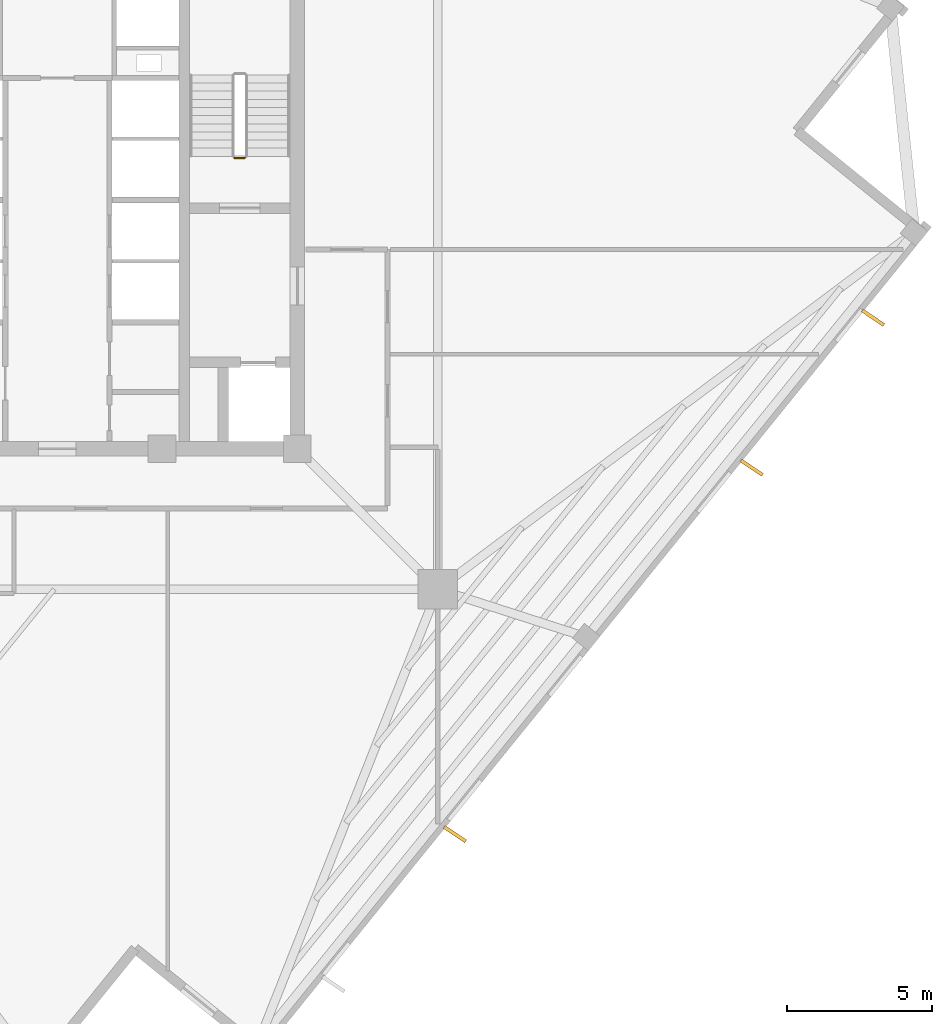
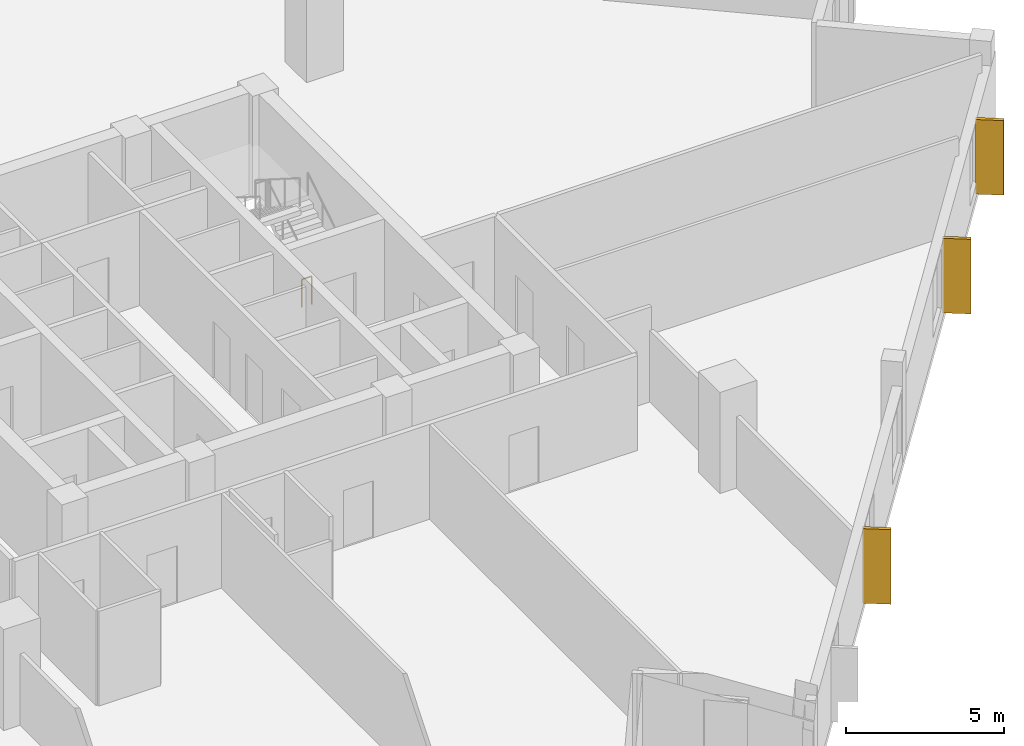
# One storey, part 8 of 10: 3 coverings, 1 railing.
"""IFC4 building model written with IfcOpenShell, lengths in metres."""

from ifc_helpers import new_model, si_unit, direction, frame, origin, origin_2d, place, context, subcontext, project, spatial, rectangle, circle, extrude, source, transform, mapped, material, layer, layer_set, type_object, element, save


model = new_model("IFC4")

# Units and contexts
model_context = context("Model", 3, precision=1e-05, world=origin(), true_north=direction((0.0, 1.0)))
body_context = subcontext(model_context, "Body", "Model", "MODEL_VIEW")
ifc_project = project(units=[si_unit("LENGTHUNIT", "METRE"), si_unit("AREAUNIT", "SQUARE_METRE"), si_unit("VOLUMEUNIT", "CUBIC_METRE"), si_unit("PLANEANGLEUNIT", "RADIAN"), si_unit("MASSUNIT", "GRAM", prefix="KILO"), si_unit("THERMODYNAMICTEMPERATUREUNIT", "KELVIN")], contexts=[model_context])

# Site, building, storey
site_placement = place(None, origin())
site = spatial("IfcSite", under=ifc_project, at=site_placement, CompositionType="ELEMENT")
building_placement = place(site_placement, origin())
building = spatial("IfcBuilding", under=site, at=building_placement, Name="Kosmvard Interchange Tower", CompositionType="ELEMENT")
storey_placement = place(building_placement, frame((0.0, 0.0, 217.300048828125)))
storey = spatial("IfcBuildingStorey", under=building, at=storey_placement, Name="L52", CompositionType="ELEMENT", Elevation=217.300048828125)

# Coverings
ifc_material_1 = material(Name="Architectural anodised aluminium", Category="aluminium")
ifc_layer = layer(ifc_material_1, 0.1201171875, Name="Architectural anodised aluminium")
ifc_layer_set = layer_set([ifc_layer], Name="Architectural anodised aluminium")
covering_type = type_object("IfcCoveringType", Name="Rotating Vertical Sun-Breaker Fin 900x120 Aluminium", PredefinedType="CLADDING", material=ifc_layer_set)
shared_shape_1 = source(origin(), body_context, "Body", "SweptSolid", [
    extrude(rectangle(XDim=0.89990234375, YDim=0.1201171875, at=origin_2d()), origin(), (0.0, 0.0, 1.0), 2.8798828125),
])
for number, where, z_axis, x_axis, name in (
    (1, (13.66748046875, -21.49658203125, 0.0400390625), (0.0, 0.0, 1.0), (0.83079023485, -0.556585649903, 0.0), "L52 Rotating Vertical Sun-Breaker Fin 02"),
    (2, (23.86865234375, -8.8994140625, 0.0400390625), (0.0, 0.0, 1.0), (0.83079023485, -0.556585649903, 0.0), "L52 Rotating Vertical Sun-Breaker Fin 03"),
    (3, (28.041748046875, -3.74609375, 0.0400390625), (0.0, 0.0, 1.0), (0.83079023485, -0.556585649903, 0.0), "L52 Rotating Vertical Sun-Breaker Fin 04"),
):
    element("IfcCovering", number, at=place(storey_placement, frame(where, z_axis=z_axis, x_axis=x_axis)), inside=storey, type_object=covering_type, Name=name, PredefinedType="CLADDING", context=body_context, shape_type="MappedRepresentation", body=[
        mapped(shared_shape_1, transform((0.0, 0.0, 0.0), scale=1.0)),
    ])

# Railing
ifc_material_2 = material(Name="Steel S355", Category="steel")
railing_type = type_object("IfcRailingType", Name="Stair & Terrace Safety Guardrail 1100 Steel", PredefinedType="GUARDRAIL", material=ifc_material_2)
shared_shape_2 = source(origin(), body_context, "Body", "SweptSolid", [
    extrude(circle(Radius=0.02392578125, at=origin_2d()), frame((0.0, 0.0, 1.076171875), z_axis=(-1.0, 0.0, 0.0), x_axis=(0.0, -1.0, 0.0)), (0.0, 0.0, 1.0), 0.35986328125),
    extrude(circle(Radius=0.02099609375, at=origin_2d()), origin(), (0.0, 0.0, 1.0), 1.052001953125),
    extrude(circle(Radius=0.02099609375, at=origin_2d()), frame((-0.35986328125, 0.0, 0.0)), (0.0, 0.0, 1.0), 1.052001953125),
])
railing_placement = place(storey_placement, frame((6.449951171875, 1.75, 0.0)))
element("IfcRailing", 4, at=railing_placement, inside=storey, type_object=railing_type, Name="L52 ST-2 stair guard 4", PredefinedType="GUARDRAIL", context=body_context, shape_type="MappedRepresentation", body=[
    mapped(shared_shape_2, transform((0.0, 0.0, 0.0), scale=1.0)),
])

save(model, "model.ifc")
